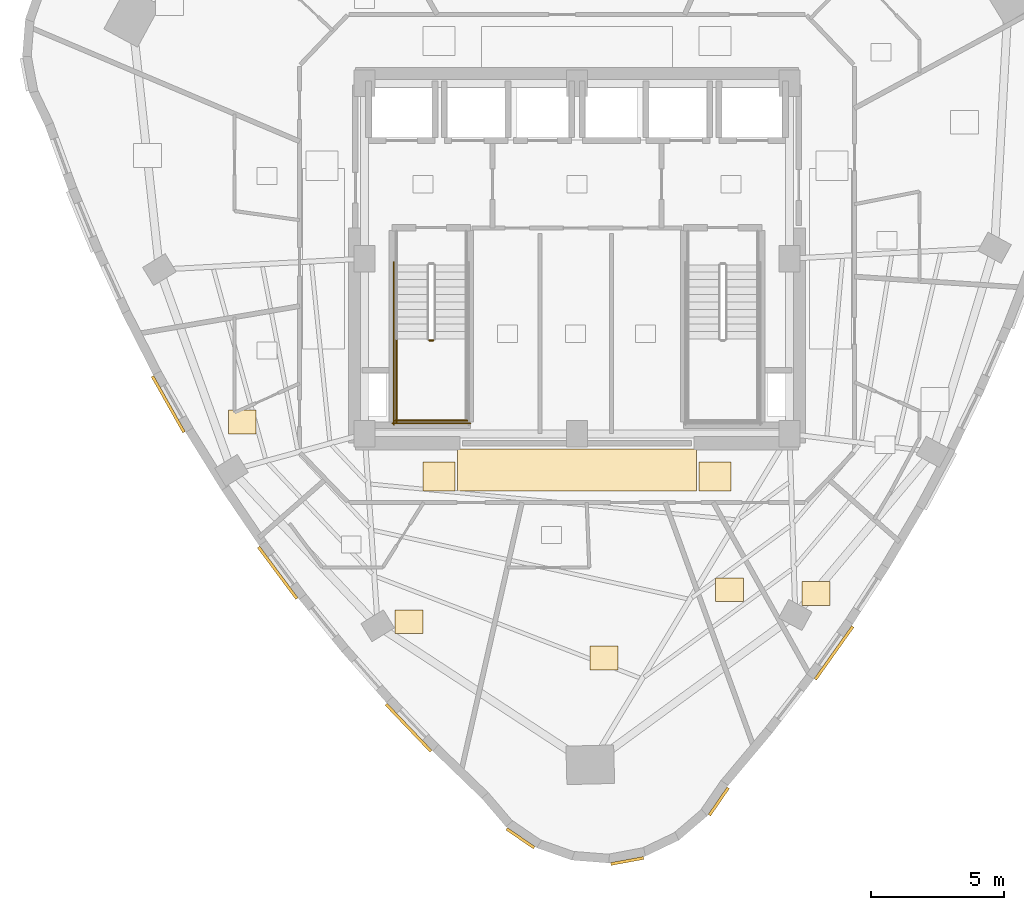
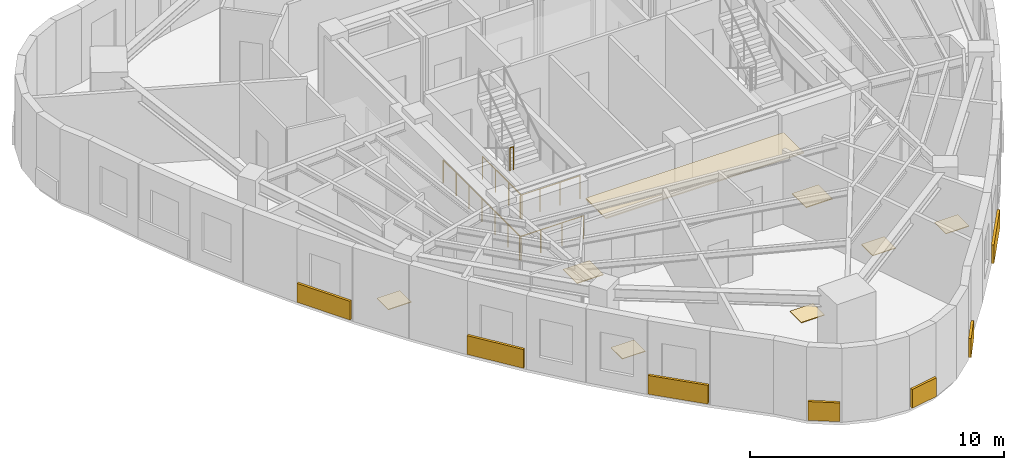
# One storey, part 9 of 11: 15 coverings, 5 railings.
"""IFC4 building model written with IfcOpenShell, lengths in metres."""

import ifcopenshell
import ifcopenshell.guid

model = None  # the IFC model being written
_history = None  # IfcOwnerHistory: only IFC2X3 demands one
_inside = {}  # id of a spatial element -> (the spatial element, [elements in it])
_under = {}  # id of a project, library or spatial element -> (it, [spatial elements below it])
_declared = {}  # id of a project -> (the project, [libraries it declares])
_typed = {}  # id of a type object -> (the type object, [elements of that type])
_made_of = {}  # id of a material, layer set ... -> (it, [elements and type objects made of it])


def new_model(schema):
    """Start an empty IFC model of exactly this schema.

    Asked for "IFC4X3", IfcOpenShell would pick the latest addendum, in which some entities
    have other attributes; the version numbers below select the first issue.
    IFC2X3 requires an IfcOwnerHistory on every rooted entity: one is made here for all.
    """
    global model, _history
    if schema == "IFC4X3":
        model = ifcopenshell.file(schema_version=(4, 3, 0, 0))
    else:
        model = ifcopenshell.file(schema=schema)
    _inside.clear()
    _under.clear()
    _declared.clear()
    _typed.clear()
    _made_of.clear()
    _history = None
    if model.schema == "IFC2X3":
        org = make("IfcOrganization", Name="unknown")
        user = make(
            "IfcPersonAndOrganization",
            ThePerson=make("IfcPerson", FamilyName="unknown"),
            TheOrganization=org,
        )
        app = make(
            "IfcApplication",
            ApplicationDeveloper=org,
            Version="unknown",
            ApplicationFullName="unknown",
            ApplicationIdentifier="unknown",
        )
        _history = make(
            "IfcOwnerHistory",
            OwningUser=user,
            OwningApplication=app,
            ChangeAction="ADDED",
            CreationDate=0,
        )
    return model


def make(cls, **values):
    """One entity of the class cls with the attributes given. An attribute that is None is left unset."""
    return model.create_entity(
        cls, **{name: value for name, value in values.items() if value is not None}
    )


def rooted(cls, **values):
    """An entity with a GlobalId (a new one), such as an element, a storey or a relation."""
    return make(cls, GlobalId=ifcopenshell.guid.new(), OwnerHistory=_history, **values)


def si_unit(unit_type, name, prefix=None):
    """IfcSIUnit, for example si_unit("LENGTHUNIT", "METRE", prefix="MILLI")."""
    return make("IfcSIUnit", UnitType=unit_type, Prefix=prefix, Name=name)


def assignment(units):
    """IfcUnitAssignment: the units of a project."""
    return None if units is None else make("IfcUnitAssignment", Units=units)


def point(xyz):
    """IfcCartesianPoint."""
    return None if xyz is None else make("IfcCartesianPoint", Coordinates=xyz)


def direction(xyz):
    """IfcDirection."""
    return None if xyz is None else make("IfcDirection", DirectionRatios=xyz)


def frame(location, z_axis=None, x_axis=None):
    """IfcAxis2Placement3D, a coordinate frame: its origin and axes. An axis left out is left unset."""
    return make(
        "IfcAxis2Placement3D",
        Location=point(location),
        Axis=direction(z_axis),
        RefDirection=direction(x_axis),
    )


def frame_2d(location, x_axis=None):
    """IfcAxis2Placement2D, a coordinate frame in the plane: its origin and x axis."""
    return make(
        "IfcAxis2Placement2D", Location=point(location), RefDirection=direction(x_axis)
    )


def origin():
    """The frame at (0, 0, 0) with its axes left unset."""
    return frame((0.0, 0.0, 0.0))


def origin_2d():
    """The frame at (0, 0) in the plane with its x axis left unset."""
    return frame_2d((0.0, 0.0))


def place(relative_to, where):
    """IfcLocalPlacement: puts the frame where relative to a parent placement (None: the world)."""
    return make(
        "IfcLocalPlacement", PlacementRelTo=relative_to, RelativePlacement=where
    )


def context(
    kind, dimensions, precision=None, world=None, true_north=None, identifier=None
):
    """IfcGeometricRepresentationContext, for example the 3D "Model" context."""
    return make(
        "IfcGeometricRepresentationContext",
        ContextIdentifier=identifier,
        ContextType=kind,
        CoordinateSpaceDimension=dimensions,
        Precision=precision,
        WorldCoordinateSystem=world,
        TrueNorth=true_north,
    )


def subcontext(parent, identifier, kind, view, scale=None):
    """IfcGeometricRepresentationSubContext, for example "Body" below "Model"."""
    return make(
        "IfcGeometricRepresentationSubContext",
        ContextIdentifier=identifier,
        ContextType=kind,
        ParentContext=parent,
        TargetScale=scale,
        TargetView=view,
    )


def project(units=None, contexts=None):
    """IfcProject with its units and contexts."""
    return rooted(
        "IfcProject",
        Name="project",
        RepresentationContexts=contexts,
        UnitsInContext=assignment(units),
    )


def spatial(cls, under=None, at=None, **own):
    """A site, building, storey or space (cls), placed at a placement, below another one or the project."""
    s = rooted(cls, ObjectPlacement=at, **own)
    if under is not None:
        _under.setdefault(under.id(), (under, []))[1].append(s)
    return s


def profile(cls, at=None, kind="AREA", **sizes):
    """A parametric profile (cls). Its sizes go by their IFC names, for example OverallWidth=200.0."""
    return make(cls, ProfileType=kind, Position=at, **sizes)


def rectangle(**sizes):
    """IfcRectangleProfileDef."""
    return profile("IfcRectangleProfileDef", **sizes)


def circle(**sizes):
    """IfcCircleProfileDef."""
    return profile("IfcCircleProfileDef", **sizes)


def extrude(swept, where, along, depth):
    """IfcExtrudedAreaSolid: the profile swept, set in the frame where, extruded along a direction by depth."""
    return make(
        "IfcExtrudedAreaSolid",
        SweptArea=swept,
        Position=where,
        ExtrudedDirection=direction(along),
        Depth=depth,
    )


def shape(context_of_items, identifier, shape_type, items):
    """IfcShapeRepresentation: the items that make up one representation, for example the "Body"."""
    return make(
        "IfcShapeRepresentation",
        ContextOfItems=context_of_items,
        RepresentationIdentifier=identifier,
        RepresentationType=shape_type,
        Items=items,
    )


def material(Name=None, Category=None):
    """IfcMaterial."""
    return make("IfcMaterial", Name=Name, Category=Category)


def layer(
    of_material, thickness, ventilated=None, Name=None, Category=None, Priority=None
):
    """IfcMaterialLayer: one layer of a wall or slab, of a material (None: an air gap)."""
    return make(
        "IfcMaterialLayer",
        Material=of_material,
        LayerThickness=thickness,
        IsVentilated=ventilated,
        Name=Name,
        Category=Category,
        Priority=Priority,
    )


def layer_set(layers, Name=None):
    """IfcMaterialLayerSet."""
    return make("IfcMaterialLayerSet", MaterialLayers=layers, LayerSetName=Name)


def made_of(thing, what):
    """Note that an element or type object is made of a material, layer set ...; save() writes the relation."""
    if what is not None:
        _made_of.setdefault(what.id(), (what, []))[1].append(thing)
    return thing


def type_object(cls, material=None, **own):
    """A type object (cls), such as IfcWallType, which elements share."""
    return made_of(rooted(cls, **own), material)


def element(
    cls,
    number,
    at=None,
    inside=None,
    cuts=None,
    type_object=None,
    material=None,
    context=None,
    identifier="Body",
    shape_type=None,
    held_by="IfcProductDefinitionShape",
    body=None,
    shapes=None,
    **own,
):
    """One element of the class cls, such as IfcWall. Its Tag is "e" and its number.

    at: its placement. inside: the storey or other place that contains it. cuts: it is an
    opening in that element (IfcRelVoidsElement). A single representation is given by context,
    identifier, shape_type and body (its items); several are given by shapes. held_by: the class
    of the entity that holds the representations. save() writes the other relations.
    """
    e = rooted(cls, Tag="e%d" % number, ObjectPlacement=at, **own)
    if body is not None:
        shapes = [shape(context, identifier, shape_type, body)]
    if shapes is not None:
        e.Representation = make(held_by, Representations=shapes)
    if inside is not None:
        _inside.setdefault(inside.id(), (inside, []))[1].append(e)
    if cuts is not None:
        rooted(
            "IfcRelVoidsElement", RelatingBuildingElement=cuts, RelatedOpeningElement=e
        )
    if type_object is not None:
        _typed.setdefault(type_object.id(), (type_object, []))[1].append(e)
    return made_of(e, material)


def aggregate(whole, parts):
    """IfcRelAggregates: a whole, such as a stair, and the parts it consists of."""
    return rooted("IfcRelAggregates", RelatingObject=whole, RelatedObjects=parts)


def save(model, path):
    """Write the relations noted so far, then the file.

    IfcRelAggregates (storeys below a building ...), IfcRelContainedInSpatialStructure (elements
    in a storey), IfcRelDefinesByType, IfcRelAssociatesMaterial and IfcRelDeclares: one each for
    every whole, place, type object, material and project.
    """
    for whole, parts in _under.values():
        aggregate(whole, parts)
    for where, things in _inside.values():
        rooted(
            "IfcRelContainedInSpatialStructure",
            RelatedElements=things,
            RelatingStructure=where,
        )
    for kind, things in _typed.values():
        rooted("IfcRelDefinesByType", RelatedObjects=things, RelatingType=kind)
    for what, things in _made_of.values():
        rooted("IfcRelAssociatesMaterial", RelatedObjects=things, RelatingMaterial=what)
    for by, libraries in _declared.values():
        rooted("IfcRelDeclares", RelatingContext=by, RelatedDefinitions=libraries)
    model.write(path)


model = new_model("IFC4")

# Units and contexts
model_context = context("Model", 3, precision=1e-05, world=origin(), true_north=direction((0.0, 1.0)))
body_context = subcontext(model_context, "Body", "Model", "MODEL_VIEW")
ifc_project = project(units=[si_unit("LENGTHUNIT", "METRE"), si_unit("AREAUNIT", "SQUARE_METRE"), si_unit("VOLUMEUNIT", "CUBIC_METRE"), si_unit("PLANEANGLEUNIT", "RADIAN"), si_unit("MASSUNIT", "GRAM", prefix="KILO")], contexts=[model_context])

# Site, building, storey
site_placement = place(None, origin())
site = spatial("IfcSite", under=ifc_project, at=site_placement, CompositionType="ELEMENT")
building_placement = place(site_placement, origin())
building = spatial("IfcBuilding", under=site, at=building_placement, Name="Ndelora Gate Hotel", CompositionType="ELEMENT")
storey_placement = place(building_placement, frame((0.0, 0.0, 216.949951171875)))
storey = spatial("IfcBuildingStorey", under=building, at=storey_placement, Name="L54", CompositionType="ELEMENT", Elevation=216.949951171875)

# Coverings
ifc_material_1 = material(Name="Perforated Acoustic Gypsum Board", Category="gypsum")
ifc_layer_1 = layer(ifc_material_1, 0.054931640625)
ifc_layer_set_1 = layer_set([ifc_layer_1], Name="Perforated Acoustic Gypsum Board")
covering_type_1 = type_object("IfcCoveringType", Name="COV-CEIL-AC60", PredefinedType="CEILING", material=ifc_layer_set_1)
covering_1_placement = place(storey_placement, frame((0.0, -7.9599609375, 2.65234375), z_axis=(0.0, 0.0, 1.0), x_axis=(1.0, 0.0, 0.0)))
element("IfcCovering", 1, at=covering_1_placement, inside=storey, type_object=covering_type_1, Name="L54 Guest Corridor Acoustic Ceiling S", PredefinedType="CEILING", context=body_context, shape_type="SweptSolid", body=[
    extrude(rectangle(XDim=9.0, YDim=1.580078125, at=origin_2d()), origin(), (0.0, 0.0, 1.0), 0.054931640625),
])
ifc_material_2 = material(Name="Terracotta Fired Clay Brick Slip Cladding", Category="masonry")
ifc_layer_2 = layer(ifc_material_2, 0.110107421875)
ifc_layer_set_2 = layer_set([ifc_layer_2], Name="Terracotta Fired Clay Brick Slip Cladding")
covering_type_2 = type_object("IfcCoveringType", Name="COV-CLAD-BRK", PredefinedType="CLADDING", material=ifc_layer_set_2)
covering_2_placement = place(storey_placement, frame((-15.397705078125, -5.48388671875, 0.10009765625), z_axis=(0.0, 0.0, 1.0), x_axis=(-0.490903753615, 0.87121381112, 0.0)))
element("IfcCovering", 2, at=covering_2_placement, inside=storey, type_object=covering_type_2, Name="L54 Rounded-Corner Brick Cladding Band 13", PredefinedType="CLADDING", context=body_context, shape_type="SweptSolid", body=[
    extrude(rectangle(XDim=2.419921875, YDim=0.110107421875, at=origin_2d()), origin(), (0.0, 0.0, 1.0), 0.89990234375),
])
covering_3_placement = place(storey_placement, frame((-11.2724609375, -11.836181640625, 0.10009765625), z_axis=(0.0, 0.0, 1.0), x_axis=(-0.596224874966, 0.802817475191, 0.0)))
element("IfcCovering", 3, at=covering_3_placement, inside=storey, type_object=covering_type_2, Name="L54 Rounded-Corner Brick Cladding Band 16", PredefinedType="CLADDING", context=body_context, shape_type="SweptSolid", body=[
    extrude(rectangle(XDim=2.4208984375, YDim=0.110107421875, at=origin_2d()), origin(), (0.0, 0.0, 1.0), 0.89990234375),
])
covering_4_placement = place(storey_placement, frame((-6.34814453125, -17.66845703125, 0.10009765625), z_axis=(0.0, 0.0, 1.0), x_axis=(-0.690756218984, 0.723087716626, 0.0)))
element("IfcCovering", 4, at=covering_4_placement, inside=storey, type_object=covering_type_2, Name="L54 Rounded-Corner Brick Cladding Band 19", PredefinedType="CLADDING", context=body_context, shape_type="SweptSolid", body=[
    extrude(rectangle(XDim=2.4599609375, YDim=0.110107421875, at=origin_2d()), origin(), (0.0, 0.0, 1.0), 0.89990234375),
])
for number, where, z_axis, x_axis, name in (
    (5, (-2.131591796875, -21.833251953125, 0.10009765625), (0.0, 0.0, 1.0), (-0.824126188622, 0.566406236925, 0.0), "L54 Rounded-Corner Brick Cladding Band 22"),
    (6, (1.8916015625, -22.6884765625, 0.10009765625), (0.0, 0.0, 1.0), (0.983254907564, 0.182235525492, 0.0), "L54 Rounded-Corner Brick Cladding Band 25"),
):
    element("IfcCovering", number, at=place(storey_placement, frame(where, z_axis=z_axis, x_axis=x_axis)), inside=storey, type_object=covering_type_2, Name=name, PredefinedType="CLADDING", context=body_context, shape_type="SweptSolid", body=[
        extrude(rectangle(XDim=1.257080078125, YDim=0.110107421875, at=origin_2d()), origin(), (0.0, 0.0, 1.0), 0.89990234375),
    ])
covering_5_placement = place(storey_placement, frame((5.341064453125, -20.4482421875, 0.10009765625), z_axis=(0.0, 0.0, 1.0), x_axis=(0.566406236925, 0.824126188622, 0.0)))
element("IfcCovering", 7, at=covering_5_placement, inside=storey, type_object=covering_type_2, Name="L54 Rounded-Corner Brick Cladding Band 28", PredefinedType="CLADDING", context=body_context, shape_type="SweptSolid", body=[
    extrude(rectangle(XDim=1.258056640625, YDim=0.110107421875, at=origin_2d()), origin(), (0.0, 0.0, 1.0), 0.89990234375),
])
covering_6_placement = place(storey_placement, frame((9.68359375, -14.851318359375, 0.10009765625), z_axis=(0.0, 0.0, 1.0), x_axis=(0.578711964667, 0.815532011604, 0.0)))
element("IfcCovering", 8, at=covering_6_placement, inside=storey, type_object=covering_type_2, Name="L54 Rounded-Corner Brick Cladding Band 31", PredefinedType="CLADDING", context=body_context, shape_type="SweptSolid", body=[
    extrude(rectangle(XDim=2.443115234375, YDim=0.110107421875, at=origin_2d()), origin(), (0.0, 0.0, 1.0), 0.89990234375),
])
ifc_material_3 = material(Name="Engineered Highland Oak Parquet", Category="wood")
ifc_layer_3 = layer(ifc_material_3, 0.030029296875)
ifc_layer_set_3 = layer_set([ifc_layer_3], Name="Engineered Highland Oak Parquet")
covering_type_3 = type_object("IfcCoveringType", Name="COV-FLR-PARQ", PredefinedType="FLOORING", material=ifc_layer_set_3)
for number, where, z_axis, x_axis, name in (
    (9, (-12.608154296875, -6.148681640625, 0.0), (0.0, 0.0, 1.0), (1.0, 0.0, 0.0), "L54 Altitude Superior Guest Room 5706 Oak Parquet Flooring"),
    (10, (-6.324462890625, -13.67529296875, 0.0), (0.0, 0.0, 1.0), (1.0, 0.0, 0.0), "L54 Corner Horizon Suite 5707 Oak Parquet Flooring"),
    (11, (1.022216796875, -15.044921875, 0.0), (0.0, 0.0, 1.0), (1.0, 0.0, 0.0), "L54 Altitude Club Junior Suite 5708 Oak Parquet Flooring"),
    (12, (5.7421875, -12.47216796875, 0.0), (0.0, 0.0, 1.0), (1.0, 0.0, 0.0), "L54 Male Public Restroom Oak Parquet Flooring"),
    (13, (8.995361328125, -12.60546875, 0.0), (0.0, 0.0, 1.0), (1.0, 0.0, 0.0), "L54 Housekeeping and Linen Room Oak Parquet Flooring"),
):
    element("IfcCovering", number, at=place(storey_placement, frame(where, z_axis=z_axis, x_axis=x_axis)), inside=storey, type_object=covering_type_3, Name=name, PredefinedType="FLOORING", context=body_context, shape_type="SweptSolid", body=[
        extrude(rectangle(XDim=1.050048828125, YDim=0.89990234375, at=origin_2d()), origin(), (0.0, 0.0, 1.0), 0.030029296875),
    ])
ifc_material_4 = material(Name="Polished Highland Stone Terrazzo", Category="masonry")
ifc_layer_4 = layer(ifc_material_4, 0.034912109375)
ifc_layer_set_4 = layer_set([ifc_layer_4], Name="Polished Highland Stone Terrazzo")
covering_type_4 = type_object("IfcCoveringType", Name="COV-FLR-TERZ", PredefinedType="FLOORING", material=ifc_layer_set_4)
for number, where, z_axis, x_axis, name in (
    (14, (-5.199951171875, -8.199951171875, 0.0), (0.0, 0.0, 1.0), (1.0, 0.0, 0.0), "L54 Corridor Threshold Terrazzo Inlay SW"),
    (15, (5.199951171875, -8.199951171875, 0.0), (0.0, 0.0, 1.0), (1.0, 0.0, 0.0), "L54 Corridor Threshold Terrazzo Inlay SE"),
):
    element("IfcCovering", number, at=place(storey_placement, frame(where, z_axis=z_axis, x_axis=x_axis)), inside=storey, type_object=covering_type_4, Name=name, PredefinedType="FLOORING", context=body_context, shape_type="SweptSolid", body=[
        extrude(rectangle(XDim=1.199951171875, YDim=1.10009765625, at=origin_2d()), origin(), (0.0, 0.0, 1.0), 0.034912109375),
    ])

# Railings
ifc_material_5 = material(Name="Painted Galvanized Steel Balustrade", Category="steel")
ifc_layer_5 = layer(ifc_material_5, 0.06005859375)
ifc_layer_set_5 = layer_set([ifc_layer_5], Name="Painted Galvanized Steel Balustrade")
railing_type = type_object("IfcRailingType", Name="RL-STAIR-GD", PredefinedType="GUARDRAIL", material=ifc_layer_set_5)
railing_1_placement = place(storey_placement, frame((-5.570068359375, -3.080078125, 1.900146484375)))
element("IfcRailing", 16, at=railing_1_placement, inside=storey, type_object=railing_type, Name="L54 ST4 stair guard 2", PredefinedType="GUARDRAIL", context=body_context, shape_type="SweptSolid", body=[
    extrude(circle(Radius=0.02392578125, at=origin_2d()), frame((0.0, 0.0, 1.10595703125), z_axis=(1.0, 0.0, 0.0), x_axis=(0.0, 1.0, 0.0)), (0.0, 0.0, 1.0), 0.16015625),
    extrude(circle(Radius=0.02099609375, at=origin_2d()), origin(), (0.0, 0.0, 1.0), 1.081787109375),
    extrude(circle(Radius=0.02099609375, at=origin_2d()), frame((0.16015625, 0.0, 0.0)), (0.0, 0.0, 1.0), 1.081787109375),
])
railing_2_placement = place(storey_placement, frame((-6.800048828125, -3.030029296875, 1.900146484375)))
element("IfcRailing", 17, at=railing_2_placement, inside=storey, type_object=railing_type, Name="L54 ST4 stair guard 3", PredefinedType="GUARDRAIL", context=body_context, shape_type="SweptSolid", body=[
    extrude(circle(Radius=0.02392578125, at=origin_2d()), frame((0.0, 0.0, 1.10595703125), z_axis=(0.0, -1.0, 0.0), x_axis=(1.0, 0.0, 0.0)), (0.0, 0.0, 1.0), 3.119873046875),
    extrude(circle(Radius=0.02099609375, at=origin_2d()), origin(), (0.0, 0.0, 1.0), 1.081787109375),
    extrude(circle(Radius=0.02099609375, at=origin_2d()), frame((0.0, -1.0400390625, 0.0)), (0.0, 0.0, 1.0), 1.081787109375),
    extrude(circle(Radius=0.02099609375, at=origin_2d()), frame((0.0, -2.079833984375, 0.0)), (0.0, 0.0, 1.0), 1.081787109375),
    extrude(circle(Radius=0.02099609375, at=origin_2d()), frame((0.0, -3.119873046875, 0.0)), (0.0, 0.0, 1.0), 1.081787109375),
])
railing_3_placement = place(storey_placement, frame((-6.85009765625, -6.10009765625, 1.900146484375)))
element("IfcRailing", 18, at=railing_3_placement, inside=storey, type_object=railing_type, Name="L54 ST4 stair guard 5", PredefinedType="GUARDRAIL", context=body_context, shape_type="SweptSolid", body=[
    extrude(circle(Radius=0.02392578125, at=origin_2d()), frame((0.0, 0.0, 1.10595703125), z_axis=(1.0, 0.0, 0.0), x_axis=(0.0, 1.0, 0.0)), (0.0, 0.0, 1.0), 2.72021484375),
    extrude(circle(Radius=0.02099609375, at=origin_2d()), origin(), (0.0, 0.0, 1.0), 1.081787109375),
    extrude(circle(Radius=0.02099609375, at=origin_2d()), frame((0.90673828125, 0.0, 0.0)), (0.0, 0.0, 1.0), 1.081787109375),
    extrude(circle(Radius=0.02099609375, at=origin_2d()), frame((1.8134765625, 0.0, 0.0)), (0.0, 0.0, 1.0), 1.081787109375),
    extrude(circle(Radius=0.02099609375, at=origin_2d()), frame((2.72021484375, 0.0, 0.0)), (0.0, 0.0, 1.0), 1.081787109375),
])
railing_4_placement = place(storey_placement, frame((-6.89990234375, -0.1298828125, 0.0)))
element("IfcRailing", 19, at=railing_4_placement, inside=storey, type_object=railing_type, Name="L54 ST4 stair guard 10", PredefinedType="GUARDRAIL", context=body_context, shape_type="SweptSolid", body=[
    extrude(circle(Radius=0.02392578125, at=origin_2d()), frame((0.0, 0.0, 1.10595703125), z_axis=(0.0, -1.0, 0.0), x_axis=(1.0, 0.0, 0.0)), (0.0, 0.0, 1.0), 6.1201171875),
    extrude(circle(Radius=0.02099609375, at=origin_2d()), origin(), (0.0, 0.0, 1.0), 1.081787109375),
    extrude(circle(Radius=0.02099609375, at=origin_2d()), frame((0.0, -1.02001953125, 0.0)), (0.0, 0.0, 1.0), 1.081787109375),
    extrude(circle(Radius=0.02099609375, at=origin_2d()), frame((0.0, -2.0400390625, 0.0)), (0.0, 0.0, 1.0), 1.081787109375),
    extrude(circle(Radius=0.02099609375, at=origin_2d()), frame((0.0, -3.06005859375, 0.0)), (0.0, 0.0, 1.0), 1.081787109375),
    extrude(circle(Radius=0.02099609375, at=origin_2d()), frame((0.0, -4.080078125, 0.0)), (0.0, 0.0, 1.0), 1.081787109375),
    extrude(circle(Radius=0.02099609375, at=origin_2d()), frame((0.0, -5.10009765625, 0.0)), (0.0, 0.0, 1.0), 1.081787109375),
    extrude(circle(Radius=0.02099609375, at=origin_2d()), frame((0.0, -6.1201171875, 0.0)), (0.0, 0.0, 1.0), 1.081787109375),
])
railing_5_placement = place(storey_placement, frame((-6.949951171875, -6.199951171875, 0.0)))
element("IfcRailing", 20, at=railing_5_placement, inside=storey, type_object=railing_type, Name="L54 ST4 stair guard 12", PredefinedType="GUARDRAIL", context=body_context, shape_type="SweptSolid", body=[
    extrude(circle(Radius=0.02392578125, at=origin_2d()), frame((0.0, 0.0, 1.10595703125), z_axis=(1.0, 0.0, 0.0), x_axis=(0.0, 1.0, 0.0)), (0.0, 0.0, 1.0), 2.919921875),
    extrude(circle(Radius=0.02099609375, at=origin_2d()), origin(), (0.0, 0.0, 1.0), 1.081787109375),
    extrude(circle(Radius=0.02099609375, at=origin_2d()), frame((0.973388671875, 0.0, 0.0)), (0.0, 0.0, 1.0), 1.081787109375),
    extrude(circle(Radius=0.02099609375, at=origin_2d()), frame((1.946533203125, 0.0, 0.0)), (0.0, 0.0, 1.0), 1.081787109375),
    extrude(circle(Radius=0.02099609375, at=origin_2d()), frame((2.919921875, 0.0, 0.0)), (0.0, 0.0, 1.0), 1.081787109375),
])

save(model, "model.ifc")
